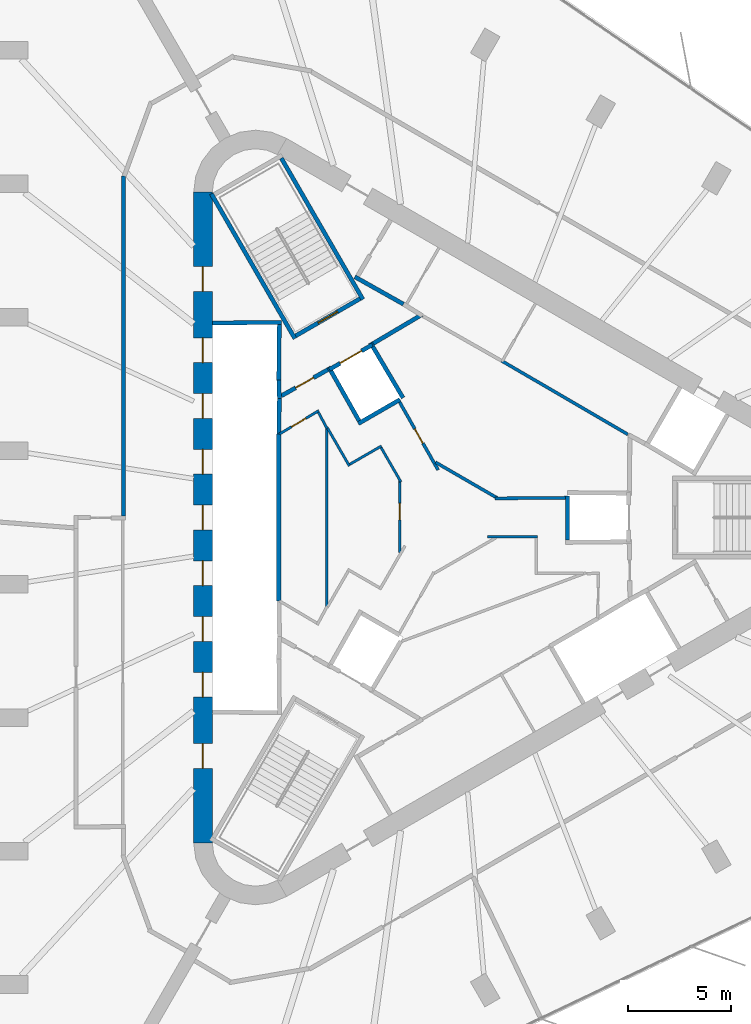
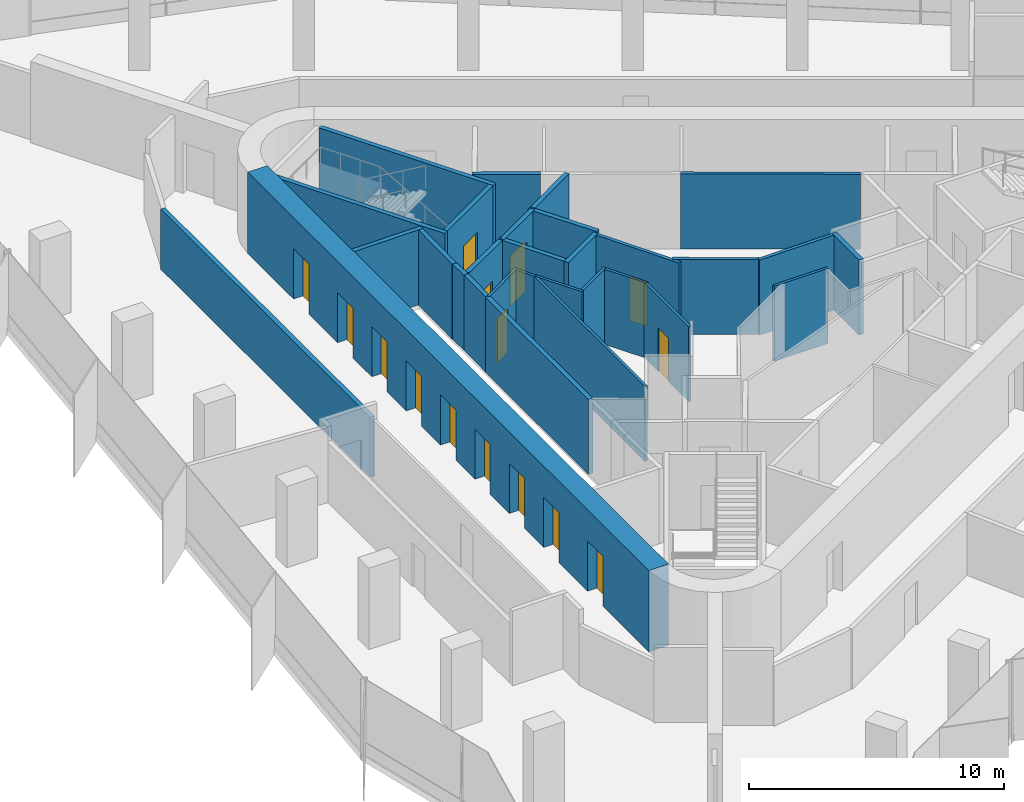
# One storey, part 10 of 14: 30 walls, 15 doors, 15 openings.
"""IFC4 building model written with IfcOpenShell, lengths in metres."""

from ifc_helpers import new_model, si_unit, direction, frame, frame_2d, origin, place, context, subcontext, project, spatial, rectangle, extrude, material, layer, layer_set, type_object, element, fill, save


model = new_model("IFC4")

# Units and contexts
model_context = context("Model", 3, precision=1e-05, world=origin(), true_north=direction((0.0, 1.0)))
body_context = subcontext(model_context, "Body", "Model", "MODEL_VIEW")
ifc_project = project(units=[si_unit("LENGTHUNIT", "METRE"), si_unit("AREAUNIT", "SQUARE_METRE"), si_unit("VOLUMEUNIT", "CUBIC_METRE"), si_unit("PLANEANGLEUNIT", "RADIAN"), si_unit("MASSUNIT", "GRAM", prefix="KILO")], contexts=[model_context])

# Site, building, storey
site_placement = place(None, origin())
site = spatial("IfcSite", under=ifc_project, at=site_placement, CompositionType="ELEMENT")
building_placement = place(site_placement, origin())
building = spatial("IfcBuilding", under=site, at=building_placement, Name="Tanit Gate Tower", CompositionType="ELEMENT")
storey_placement = place(building_placement, frame((0.0, 0.0, 302.60009765625)))
storey = spatial("IfcBuildingStorey", under=building, at=storey_placement, Name="L67", CompositionType="ELEMENT", Elevation=302.60009765625)

# Wall, openings, doors
ifc_material_1 = material(Name="Concrete C40/50", Category="concrete")
ifc_layer_1 = layer(ifc_material_1, 0.89990234375)
ifc_layer_set_1 = layer_set([ifc_layer_1], Name="CORE WALL 900 C40/50")
wall_type_1 = type_object("IfcWallType", Name="CORE WALL 900 C40/50", PredefinedType="SHEAR", material=ifc_layer_set_1)
wall_1_placement = place(storey_placement, frame((-11.64990234375, 15.76171875, 0.0), z_axis=(0.0, 0.0, 1.0), x_axis=(0.0, -1.0, 0.0)))
wall_1 = element("IfcWall", 1, at=wall_1_placement, inside=storey, type_object=wall_type_1, Name="CORE WALL", PredefinedType="SHEAR", context=body_context, shape_type="SweptSolid", body=[
    extrude(rectangle(XDim=31.5234375, YDim=0.89990234375, at=frame_2d((15.76171875, 0.0))), origin(), (0.0, 0.0, 1.0), 3.89990234375),
])
opening_1_placement = place(wall_1_placement, frame((7.061767578125, 0.0, 0.0)))
opening_1 = element("IfcOpeningElement", 2, at=opening_1_placement, cuts=wall_1, Name="Opening LDHL1-S18", PredefinedType="OPENING", context=body_context, shape_type="SweptSolid", body=[
    extrude(rectangle(XDim=1.199951171875, YDim=2.39990234375, at=frame_2d((0.60009765625, 1.199951171875))), frame((0.0, 0.4599609375, 0.0), z_axis=(0.0, -1.0, 0.0), x_axis=(1.0, 0.0, 0.0)), (0.0, 0.0, 1.0), 0.919921875),
])
opening_2_placement = place(wall_1_placement, frame((9.76171875, 0.0, 0.0)))
opening_2 = element("IfcOpeningElement", 3, at=opening_2_placement, cuts=wall_1, Name="Opening LDHL2-S18", PredefinedType="OPENING", context=body_context, shape_type="SweptSolid", body=[
    extrude(rectangle(XDim=1.199951171875, YDim=2.39990234375, at=frame_2d((0.60009765625, 1.199951171875))), frame((0.0, 0.4599609375, 0.0), z_axis=(0.0, -1.0, 0.0), x_axis=(1.0, 0.0, 0.0)), (0.0, 0.0, 1.0), 0.919921875),
])
opening_3_placement = place(wall_1_placement, frame((12.461669921875, 0.0, 0.0)))
opening_3 = element("IfcOpeningElement", 4, at=opening_3_placement, cuts=wall_1, Name="Opening LDHL3-S18", PredefinedType="OPENING", context=body_context, shape_type="SweptSolid", body=[
    extrude(rectangle(XDim=1.199951171875, YDim=2.39990234375, at=frame_2d((0.60009765625, 1.199951171875))), frame((0.0, 0.4599609375, 0.0), z_axis=(0.0, -1.0, 0.0), x_axis=(1.0, 0.0, 0.0)), (0.0, 0.0, 1.0), 0.919921875),
])
opening_4_placement = place(wall_1_placement, frame((15.16162109375, 0.0, 0.0)))
opening_4 = element("IfcOpeningElement", 5, at=opening_4_placement, cuts=wall_1, Name="Opening LDHL4-S18", PredefinedType="OPENING", context=body_context, shape_type="SweptSolid", body=[
    extrude(rectangle(XDim=1.199951171875, YDim=2.39990234375, at=frame_2d((0.60009765625, 1.199951171875))), frame((0.0, 0.4599609375, 0.0), z_axis=(0.0, -1.0, 0.0), x_axis=(1.0, 0.0, 0.0)), (0.0, 0.0, 1.0), 0.919921875),
])
opening_5_placement = place(wall_1_placement, frame((17.86181640625, 0.0, 0.0)))
opening_5 = element("IfcOpeningElement", 6, at=opening_5_placement, cuts=wall_1, Name="Opening LDHL5-S18", PredefinedType="OPENING", context=body_context, shape_type="SweptSolid", body=[
    extrude(rectangle(XDim=1.199951171875, YDim=2.39990234375, at=frame_2d((0.60009765625, 1.199951171875))), frame((0.0, 0.4599609375, 0.0), z_axis=(0.0, -1.0, 0.0), x_axis=(1.0, 0.0, 0.0)), (0.0, 0.0, 1.0), 0.919921875),
])
opening_6_placement = place(wall_1_placement, frame((20.561767578125, 0.0, 0.0)))
opening_6 = element("IfcOpeningElement", 7, at=opening_6_placement, cuts=wall_1, Name="Opening LDHL6-S18", PredefinedType="OPENING", context=body_context, shape_type="SweptSolid", body=[
    extrude(rectangle(XDim=1.199951171875, YDim=2.39990234375, at=frame_2d((0.60009765625, 1.199951171875))), frame((0.0, 0.4599609375, 0.0), z_axis=(0.0, -1.0, 0.0), x_axis=(1.0, 0.0, 0.0)), (0.0, 0.0, 1.0), 0.919921875),
])
opening_7_placement = place(wall_1_placement, frame((23.26171875, 0.0, 0.0)))
opening_7 = element("IfcOpeningElement", 8, at=opening_7_placement, cuts=wall_1, Name="Opening LDHL7-S18", PredefinedType="OPENING", context=body_context, shape_type="SweptSolid", body=[
    extrude(rectangle(XDim=1.199951171875, YDim=2.39990234375, at=frame_2d((0.60009765625, 1.199951171875))), frame((0.0, 0.4599609375, 0.0), z_axis=(0.0, -1.0, 0.0), x_axis=(1.0, 0.0, 0.0)), (0.0, 0.0, 1.0), 0.919921875),
])
opening_8_placement = place(wall_1_placement, frame((3.61181640625, 0.0, 0.0)))
opening_8 = element("IfcOpeningElement", 9, at=opening_8_placement, cuts=wall_1, Name="Opening F12-S18-FL2", PredefinedType="OPENING", context=body_context, shape_type="SweptSolid", body=[
    extrude(rectangle(XDim=1.199951171875, YDim=2.39990234375, at=frame_2d((0.60009765625, 1.199951171875))), frame((0.0, 0.4599609375, 0.0), z_axis=(0.0, -1.0, 0.0), x_axis=(1.0, 0.0, 0.0)), (0.0, 0.0, 1.0), 0.919921875),
])
opening_9_placement = place(wall_1_placement, frame((26.711669921875, 0.0, 0.0)))
opening_9 = element("IfcOpeningElement", 10, at=opening_9_placement, cuts=wall_1, Name="Opening F12-S18-S3", PredefinedType="OPENING", context=body_context, shape_type="SweptSolid", body=[
    extrude(rectangle(XDim=1.199951171875, YDim=2.39990234375, at=frame_2d((0.60009765625, 1.199951171875))), frame((0.0, 0.4599609375, 0.0), z_axis=(0.0, -1.0, 0.0), x_axis=(1.0, 0.0, 0.0)), (0.0, 0.0, 1.0), 0.919921875),
])
ifc_material_2 = material(Name="Fire-rated steel door leaf", Category="steel")
door_type_1 = type_object("IfcDoorType", Name="INT-DOOR-FIRE-LOBBY-1200", OperationType="NOTDEFINED", PredefinedType="USERDEFINED", material=ifc_material_2)
door_1_placement = place(opening_8_placement, origin())
door_1 = element("IfcDoor", 11, at=door_1_placement, inside=storey, type_object=door_type_1, Name="Door F12-S18-FL2", ObjectType="FIRE DOOR", OperationType="SINGLE_SWING_RIGHT", OverallHeight=2.39990234375, OverallWidth=1.199951171875, PredefinedType="USERDEFINED", context=body_context, shape_type="SweptSolid", body=[
    extrude(rectangle(XDim=1.199951171875, YDim=2.39990234375, at=frame_2d((0.60009765625, 1.199951171875))), frame((0.0, 0.02490234375, 0.0), z_axis=(0.0, -1.0, 0.0), x_axis=(1.0, 0.0, 0.0)), (0.0, 0.0, 1.0), 0.050048828125),
])
fill(opening_8, door_1)
door_2_placement = place(opening_9_placement, origin())
door_2 = element("IfcDoor", 12, at=door_2_placement, inside=storey, type_object=door_type_1, Name="Door F12-S18-S3", ObjectType="FIRE DOOR", OperationType="SINGLE_SWING_RIGHT", OverallHeight=2.39990234375, OverallWidth=1.199951171875, PredefinedType="USERDEFINED", context=body_context, shape_type="SweptSolid", body=[
    extrude(rectangle(XDim=1.199951171875, YDim=2.39990234375, at=frame_2d((0.60009765625, 1.199951171875))), frame((0.0, 0.02490234375, 0.0), z_axis=(0.0, -1.0, 0.0), x_axis=(1.0, 0.0, 0.0)), (0.0, 0.0, 1.0), 0.050048828125),
])
fill(opening_9, door_2)
ifc_material_3 = material(Name="Stainless steel sliding door leaf", Category="steel")
door_type_2 = type_object("IfcDoorType", Name="INT-DOOR-LANDING-1200", OperationType="NOTDEFINED", PredefinedType="USERDEFINED", material=ifc_material_3)
door_3_placement = place(opening_1_placement, origin())
door_3 = element("IfcDoor", 13, at=door_3_placement, inside=storey, type_object=door_type_2, Name="Door LDHL1-S18", ObjectType="LANDING DOOR", OperationType="SLIDING_TO_LEFT", OverallHeight=2.39990234375, OverallWidth=1.199951171875, PredefinedType="USERDEFINED", context=body_context, shape_type="SweptSolid", body=[
    extrude(rectangle(XDim=1.199951171875, YDim=2.39990234375, at=frame_2d((0.60009765625, 1.199951171875))), frame((0.0, 0.02490234375, 0.0), z_axis=(0.0, -1.0, 0.0), x_axis=(1.0, 0.0, 0.0)), (0.0, 0.0, 1.0), 0.050048828125),
])
fill(opening_1, door_3)
door_4_placement = place(opening_2_placement, origin())
door_4 = element("IfcDoor", 14, at=door_4_placement, inside=storey, type_object=door_type_2, Name="Door LDHL2-S18", ObjectType="LANDING DOOR", OperationType="SLIDING_TO_LEFT", OverallHeight=2.39990234375, OverallWidth=1.199951171875, PredefinedType="USERDEFINED", context=body_context, shape_type="SweptSolid", body=[
    extrude(rectangle(XDim=1.199951171875, YDim=2.39990234375, at=frame_2d((0.60009765625, 1.199951171875))), frame((0.0, 0.02490234375, 0.0), z_axis=(0.0, -1.0, 0.0), x_axis=(1.0, 0.0, 0.0)), (0.0, 0.0, 1.0), 0.050048828125),
])
fill(opening_2, door_4)
door_5_placement = place(opening_3_placement, origin())
door_5 = element("IfcDoor", 15, at=door_5_placement, inside=storey, type_object=door_type_2, Name="Door LDHL3-S18", ObjectType="LANDING DOOR", OperationType="SLIDING_TO_LEFT", OverallHeight=2.39990234375, OverallWidth=1.199951171875, PredefinedType="USERDEFINED", context=body_context, shape_type="SweptSolid", body=[
    extrude(rectangle(XDim=1.199951171875, YDim=2.39990234375, at=frame_2d((0.60009765625, 1.199951171875))), frame((0.0, 0.02490234375, 0.0), z_axis=(0.0, -1.0, 0.0), x_axis=(1.0, 0.0, 0.0)), (0.0, 0.0, 1.0), 0.050048828125),
])
fill(opening_3, door_5)
door_6_placement = place(opening_4_placement, origin())
door_6 = element("IfcDoor", 16, at=door_6_placement, inside=storey, type_object=door_type_2, Name="Door LDHL4-S18", ObjectType="LANDING DOOR", OperationType="SLIDING_TO_LEFT", OverallHeight=2.39990234375, OverallWidth=1.199951171875, PredefinedType="USERDEFINED", context=body_context, shape_type="SweptSolid", body=[
    extrude(rectangle(XDim=1.199951171875, YDim=2.39990234375, at=frame_2d((0.60009765625, 1.199951171875))), frame((0.0, 0.02490234375, 0.0), z_axis=(0.0, -1.0, 0.0), x_axis=(1.0, 0.0, 0.0)), (0.0, 0.0, 1.0), 0.050048828125),
])
fill(opening_4, door_6)
door_7_placement = place(opening_5_placement, origin())
door_7 = element("IfcDoor", 17, at=door_7_placement, inside=storey, type_object=door_type_2, Name="Door LDHL5-S18", ObjectType="LANDING DOOR", OperationType="SLIDING_TO_LEFT", OverallHeight=2.39990234375, OverallWidth=1.199951171875, PredefinedType="USERDEFINED", context=body_context, shape_type="SweptSolid", body=[
    extrude(rectangle(XDim=1.199951171875, YDim=2.39990234375, at=frame_2d((0.60009765625, 1.199951171875))), frame((0.0, 0.02490234375, 0.0), z_axis=(0.0, -1.0, 0.0), x_axis=(1.0, 0.0, 0.0)), (0.0, 0.0, 1.0), 0.050048828125),
])
fill(opening_5, door_7)
door_8_placement = place(opening_6_placement, origin())
door_8 = element("IfcDoor", 18, at=door_8_placement, inside=storey, type_object=door_type_2, Name="Door LDHL6-S18", ObjectType="LANDING DOOR", OperationType="SLIDING_TO_LEFT", OverallHeight=2.39990234375, OverallWidth=1.199951171875, PredefinedType="USERDEFINED", context=body_context, shape_type="SweptSolid", body=[
    extrude(rectangle(XDim=1.199951171875, YDim=2.39990234375, at=frame_2d((0.60009765625, 1.199951171875))), frame((0.0, 0.02490234375, 0.0), z_axis=(0.0, -1.0, 0.0), x_axis=(1.0, 0.0, 0.0)), (0.0, 0.0, 1.0), 0.050048828125),
])
fill(opening_6, door_8)
door_9_placement = place(opening_7_placement, origin())
door_9 = element("IfcDoor", 19, at=door_9_placement, inside=storey, type_object=door_type_2, Name="Door LDHL7-S18", ObjectType="LANDING DOOR", OperationType="SLIDING_TO_LEFT", OverallHeight=2.39990234375, OverallWidth=1.199951171875, PredefinedType="USERDEFINED", context=body_context, shape_type="SweptSolid", body=[
    extrude(rectangle(XDim=1.199951171875, YDim=2.39990234375, at=frame_2d((0.60009765625, 1.199951171875))), frame((0.0, 0.02490234375, 0.0), z_axis=(0.0, -1.0, 0.0), x_axis=(1.0, 0.0, 0.0)), (0.0, 0.0, 1.0), 0.050048828125),
])
fill(opening_7, door_9)

# Walls
ifc_material_4 = material(Name="Fire-rated gypsum board partition")
ifc_layer_2 = layer(ifc_material_4, 0.199951171875)
ifc_layer_set_2 = layer_set([ifc_layer_2], Name="INT-WALL-COMPARTMENT")
wall_type_2 = type_object("IfcWallType", Name="INT-WALL-COMPARTMENT", PredefinedType="PARTITIONING", material=ifc_layer_set_2)
wall_2_placement = place(storey_placement, frame((-4.296142578125, 11.658935546875, 0.0), z_axis=(0.0, 0.0, 1.0), x_axis=(0.871534483978, -0.490334215854, 0.0)))
element("IfcWall", 20, at=wall_2_placement, inside=storey, type_object=wall_type_2, Name="Wall Compartment W050", PredefinedType="PARTITIONING", context=body_context, shape_type="SweptSolid", body=[
    extrude(rectangle(XDim=2.7001953125, YDim=0.199951171875, at=frame_2d((1.35009765625, 0.0))), origin(), (0.0, 0.0, 1.0), 3.599853515625),
])
wall_3_placement = place(storey_placement, frame((-1.054931640625, 9.818359375, 0.0), z_axis=(0.0, 0.0, 1.0), x_axis=(-0.860591104342, -0.509296525737, 0.0)))
element("IfcWall", 21, at=wall_3_placement, inside=storey, type_object=wall_type_2, Name="Wall Compartment W061", PredefinedType="PARTITIONING", context=body_context, shape_type="SweptSolid", body=[
    extrude(rectangle(XDim=2.7255859375, YDim=0.199951171875, at=frame_2d((1.36279296875, 0.0))), origin(), (0.0, 0.0, 1.0), 3.599853515625),
])

# Wall, opening, door
wall_4_placement = place(storey_placement, frame((-5.600341796875, 7.16015625, 0.0), z_axis=(0.0, 0.0, 1.0), x_axis=(-0.871363259478, -0.490638431059, 0.0)))
wall_4 = element("IfcWall", 22, at=wall_4_placement, inside=storey, type_object=wall_type_2, Name="Wall Compartment W062", PredefinedType="PARTITIONING", context=body_context, shape_type="SweptSolid", body=[
    extrude(rectangle(XDim=2.5810546875, YDim=0.199951171875, at=frame_2d((1.29052734375, 0.0))), origin(), (0.0, 0.0, 1.0), 3.599853515625),
])
opening_10_placement = place(wall_4_placement, frame((0.79052734375, 0.0, 0.0)))
opening_10 = element("IfcOpeningElement", 23, at=opening_10_placement, cuts=wall_4, Name="Opening F10-S18-05", PredefinedType="OPENING", context=body_context, shape_type="SweptSolid", body=[
    extrude(rectangle(XDim=1.0, YDim=2.10009765625, at=frame_2d((0.5, 1.050048828125))), frame((0.0, 0.10986328125, 0.0), z_axis=(0.0, -1.0, 0.0), x_axis=(1.0, 0.0, 0.0)), (0.0, 0.0, 1.0), 0.219970703125),
])
ifc_material_5 = material(Name="Fire-rated steel door leaf", Category="steel")
door_type_3 = type_object("IfcDoorType", Name="INT-DOOR-FIRE-1000", OperationType="NOTDEFINED", PredefinedType="USERDEFINED", material=ifc_material_5)
door_10_placement = place(opening_10_placement, origin())
door_10 = element("IfcDoor", 24, at=door_10_placement, inside=storey, type_object=door_type_3, Name="Door F10-S18-05", ObjectType="FIRE DOOR", OperationType="SINGLE_SWING_RIGHT", OverallHeight=2.10009765625, OverallWidth=1.0, PredefinedType="USERDEFINED", context=body_context, shape_type="SweptSolid", body=[
    extrude(rectangle(XDim=1.0, YDim=2.10009765625, at=frame_2d((0.5, 1.050048828125))), frame((0.0, 0.02490234375, 0.0), z_axis=(0.0, -1.0, 0.0), x_axis=(1.0, 0.0, 0.0)), (0.0, 0.0, 1.0), 0.050048828125),
])
fill(opening_10, door_10)

# Walls
wall_5_placement = place(storey_placement, frame((-15.5, 16.54052734375, 0.0), z_axis=(0.0, 0.0, 1.0), x_axis=(0.0, -1.0, 0.0)))
element("IfcWall", 25, at=wall_5_placement, inside=storey, type_object=wall_type_2, Name="Wall Compartment W096", PredefinedType="PARTITIONING", context=body_context, shape_type="SweptSolid", body=[
    extrude(rectangle(XDim=16.470458984375, YDim=0.199951171875, at=frame_2d((8.2353515625, 0.0))), origin(), (0.0, 0.0, 1.0), 2.8798828125),
])
ifc_material_6 = material(Name="Gypsum board partition")
ifc_layer_3 = layer(ifc_material_6, 0.1201171875)
ifc_layer_set_3 = layer_set([ifc_layer_3], Name="INT-WALL-PARTITION")
wall_type_3 = type_object("IfcWallType", Name="INT-WALL-PARTITION", PredefinedType="PARTITIONING", material=ifc_layer_set_3)
wall_6_placement = place(storey_placement, frame((4.56005859375, -0.925048828125, 0.0), z_axis=(0.0, 0.0, 1.0), x_axis=(-1.0, 0.0, 0.0)))
element("IfcWall", 26, at=wall_6_placement, inside=storey, type_object=wall_type_3, Name="Wall Partition W071", PredefinedType="PARTITIONING", context=body_context, shape_type="SweptSolid", body=[
    extrude(rectangle(XDim=2.438232421875, YDim=0.1201171875, at=frame_2d((1.21923828125, 0.0))), origin(), (0.0, 0.0, 1.0), 3.599853515625),
])
wall_7_placement = place(storey_placement, frame((-5.65087890625, -4.3876953125, 0.0), z_axis=(0.0, 0.0, 1.0), x_axis=(-0.000472563465, 0.999999888342, 0.0)))
element("IfcWall", 27, at=wall_7_placement, inside=storey, type_object=wall_type_3, Name="Wall Partition W076", PredefinedType="PARTITIONING", context=body_context, shape_type="SweptSolid", body=[
    extrude(rectangle(XDim=8.78271484375, YDim=0.1201171875, at=frame_2d((4.391357421875, 0.0))), origin(), (0.0, 0.0, 1.0), 3.599853515625),
])

# Wall, opening, door
wall_8_placement = place(storey_placement, frame((-6.03662109375, 5.17578125, 0.0), z_axis=(0.0, 0.0, 1.0), x_axis=(-0.860106072674, -0.510115225953, 0.0)))
wall_8 = element("IfcWall", 28, at=wall_8_placement, inside=storey, type_object=wall_type_3, Name="Wall Partition W079", PredefinedType="PARTITIONING", context=body_context, shape_type="SweptSolid", body=[
    extrude(rectangle(XDim=2.224609375, YDim=0.1201171875, at=frame_2d((1.1123046875, 0.0))), origin(), (0.0, 0.0, 1.0), 3.599853515625),
])
opening_11_placement = place(wall_8_placement, frame((0.7421875, 0.0, 0.0)))
opening_11 = element("IfcOpeningElement", 29, at=opening_11_placement, cuts=wall_8, Name="Opening R08-S18-13", PredefinedType="OPENING", context=body_context, shape_type="SweptSolid", body=[
    extrude(rectangle(XDim=0.800048828125, YDim=2.10009765625, at=frame_2d((0.39990234375, 1.050048828125))), frame((0.0, 0.070068359375, 0.0), z_axis=(0.0, -1.0, 0.0), x_axis=(1.0, 0.0, 0.0)), (0.0, 0.0, 1.0), 0.14013671875),
])
ifc_material_7 = material(Name="Timber door leaf", Category="wood")
door_type_4 = type_object("IfcDoorType", Name="INT-DOOR-RISER-800", OperationType="NOTDEFINED", PredefinedType="USERDEFINED", material=ifc_material_7)
door_11_placement = place(opening_11_placement, origin())
door_11 = element("IfcDoor", 30, at=door_11_placement, inside=storey, type_object=door_type_4, Name="Door R08-S18-13", ObjectType="FIRE DOOR", OperationType="SINGLE_SWING_LEFT", OverallHeight=2.10009765625, OverallWidth=0.800048828125, PredefinedType="USERDEFINED", context=body_context, shape_type="SweptSolid", body=[
    extrude(rectangle(XDim=0.800048828125, YDim=2.10009765625, at=frame_2d((0.39990234375, 1.050048828125))), frame((0.0, 0.02490234375, 0.0), z_axis=(0.0, -1.0, 0.0), x_axis=(1.0, 0.0, 0.0)), (0.0, 0.0, 1.0), 0.050048828125),
])
fill(opening_11, door_11)

# Walls
wall_9_placement = place(storey_placement, frame((-5.64013671875, 4.31005859375, 0.0), z_axis=(0.0, 0.0, 1.0), x_axis=(-0.472770828932, 0.88118541937, 0.0)))
element("IfcWall", 31, at=wall_9_placement, inside=storey, type_object=wall_type_3, Name="Wall Partition W080", PredefinedType="PARTITIONING", context=body_context, shape_type="SweptSolid", body=[
    extrude(rectangle(XDim=0.8876953125, YDim=0.1201171875, at=frame_2d((0.44384765625, 0.0))), origin(), (0.0, 0.0, 1.0), 3.599853515625),
])
wall_10_placement = place(storey_placement, frame((-4.558349609375, 2.4951171875, 0.0), z_axis=(0.0, 0.0, 1.0), x_axis=(-0.499986178718, 0.866033383358, 0.0)))
element("IfcWall", 32, at=wall_10_placement, inside=storey, type_object=wall_type_3, Name="Wall Partition W081", PredefinedType="PARTITIONING", context=body_context, shape_type="SweptSolid", body=[
    extrude(rectangle(XDim=2.16357421875, YDim=0.1201171875, at=frame_2d((1.081787109375, 0.0))), origin(), (0.0, 0.0, 1.0), 3.599853515625),
])
wall_11_placement = place(storey_placement, frame((-2.9990234375, 3.464599609375, 0.0), z_axis=(0.0, 0.0, 1.0), x_axis=(-0.866059624469, -0.499940723351, 0.0)))
element("IfcWall", 33, at=wall_11_placement, inside=storey, type_object=wall_type_3, Name="Wall Partition W082", PredefinedType="PARTITIONING", context=body_context, shape_type="SweptSolid", body=[
    extrude(rectangle(XDim=1.775146484375, YDim=0.1201171875, at=frame_2d((0.8876953125, 0.0))), origin(), (0.0, 0.0, 1.0), 3.599853515625),
])
wall_12_placement = place(storey_placement, frame((-2.066162109375, 1.728759765625, 0.0), z_axis=(0.0, 0.0, 1.0), x_axis=(-0.500002807145, 0.866023783073, 0.0)))
element("IfcWall", 34, at=wall_12_placement, inside=storey, type_object=wall_type_3, Name="Wall Partition W083", PredefinedType="PARTITIONING", context=body_context, shape_type="SweptSolid", body=[
    extrude(rectangle(XDim=1.90966796875, YDim=0.1201171875, at=frame_2d((0.954833984375, 0.0))), origin(), (0.0, 0.0, 1.0), 3.599853515625),
])

# Wall, opening, door
wall_13_placement = place(storey_placement, frame((-2.122314453125, -1.7060546875, 0.0), z_axis=(0.0, 0.0, 1.0), x_axis=(0.001253480909, 0.999999214392, 0.0)))
wall_13 = element("IfcWall", 35, at=wall_13_placement, inside=storey, type_object=wall_type_3, Name="Wall Partition W084", PredefinedType="PARTITIONING", context=body_context, shape_type="SweptSolid", body=[
    extrude(rectangle(XDim=3.505859375, YDim=0.1201171875, at=frame_2d((1.7529296875, 0.0))), origin(), (0.0, 0.0, 1.0), 3.599853515625),
])
opening_12_placement = place(wall_13_placement, frame((1.593505859375, 0.0, 0.0)))
opening_12 = element("IfcOpeningElement", 36, at=opening_12_placement, cuts=wall_13, Name="Opening R08-S18-14", PredefinedType="OPENING", context=body_context, shape_type="SweptSolid", body=[
    extrude(rectangle(XDim=0.800048828125, YDim=2.10009765625, at=frame_2d((0.39990234375, 1.050048828125))), frame((0.0, 0.070068359375, 0.0), z_axis=(0.0, -1.0, 0.0), x_axis=(1.0, 0.0, 0.0)), (0.0, 0.0, 1.0), 0.14013671875),
])
door_12_placement = place(opening_12_placement, origin())
door_12 = element("IfcDoor", 37, at=door_12_placement, inside=storey, type_object=door_type_4, Name="Door R08-S18-14", ObjectType="FIRE DOOR", OperationType="SINGLE_SWING_LEFT", OverallHeight=2.10009765625, OverallWidth=0.800048828125, PredefinedType="USERDEFINED", context=body_context, shape_type="SweptSolid", body=[
    extrude(rectangle(XDim=0.800048828125, YDim=2.10009765625, at=frame_2d((0.39990234375, 1.050048828125))), frame((0.0, 0.02490234375, 0.0), z_axis=(0.0, -1.0, 0.0), x_axis=(1.0, 0.0, 0.0)), (0.0, 0.0, 1.0), 0.050048828125),
])
fill(opening_12, door_12)

# Walls
ifc_material_8 = material(Name="Fire-rated gypsum board partition")
ifc_layer_4 = layer(ifc_material_8, 0.14990234375)
ifc_layer_set_4 = layer_set([ifc_layer_4], Name="INT-WALL-RISER")
wall_type_4 = type_object("IfcWallType", Name="INT-WALL-RISER", PredefinedType="PLUMBINGWALL", material=ifc_layer_set_4)
wall_14_placement = place(storey_placement, frame((8.9306640625, 4.0244140625, 0.0), z_axis=(0.0, 0.0, 1.0), x_axis=(-0.863936620311, 0.50360055211, 0.0)))
element("IfcWall", 38, at=wall_14_placement, inside=storey, type_object=wall_type_4, Name="Wall Riser W046", PredefinedType="PLUMBINGWALL", context=body_context, shape_type="SweptSolid", body=[
    extrude(rectangle(XDim=7.072021484375, YDim=0.14990234375, at=frame_2d((3.5361328125, 0.0))), origin(), (0.0, 0.0, 1.0), 3.599853515625),
])
wall_15_placement = place(storey_placement, frame((2.5068359375, 0.923828125, 0.0), z_axis=(0.0, 0.0, 1.0), x_axis=(0.999961473465, 0.008777903278, 0.0)))
element("IfcWall", 39, at=wall_15_placement, inside=storey, type_object=wall_type_4, Name="Wall Riser W065", PredefinedType="PLUMBINGWALL", context=body_context, shape_type="SweptSolid", body=[
    extrude(rectangle(XDim=3.393310546875, YDim=0.14990234375, at=frame_2d((1.69677734375, 0.0))), origin(), (0.0, 0.0, 1.0), 3.599853515625),
])
wall_16_placement = place(storey_placement, frame((-0.38525390625, 2.673095703125, 0.0), z_axis=(0.0, 0.0, 1.0), x_axis=(0.865415028875, -0.501055713266, 0.0)))
element("IfcWall", 40, at=wall_16_placement, inside=storey, type_object=wall_type_4, Name="Wall Riser W066", PredefinedType="PLUMBINGWALL", context=body_context, shape_type="SweptSolid", body=[
    extrude(rectangle(XDim=3.46484375, YDim=0.14990234375, at=frame_2d((1.732421875, 0.0))), origin(), (0.0, 0.0, 1.0), 3.599853515625),
])

# Wall, opening, door
wall_17_placement = place(storey_placement, frame((-2.1240234375, 5.58642578125, 0.0), z_axis=(0.0, 0.0, 1.0), x_axis=(0.493408695398, -0.869797596746, 0.0)))
wall_17 = element("IfcWall", 41, at=wall_17_placement, inside=storey, type_object=wall_type_4, Name="Wall Riser W067", PredefinedType="PLUMBINGWALL", context=body_context, shape_type="SweptSolid", body=[
    extrude(rectangle(XDim=3.7783203125, YDim=0.14990234375, at=frame_2d((1.88916015625, 0.0))), origin(), (0.0, 0.0, 1.0), 3.599853515625),
])
opening_13_placement = place(wall_17_placement, frame((1.4892578125, 0.0, 0.0)))
opening_13 = element("IfcOpeningElement", 42, at=opening_13_placement, cuts=wall_17, Name="Opening R08-S18-10", PredefinedType="OPENING", context=body_context, shape_type="SweptSolid", body=[
    extrude(rectangle(XDim=0.800048828125, YDim=2.10009765625, at=frame_2d((0.39990234375, 1.050048828125))), frame((0.0, 0.0849609375, 0.0), z_axis=(0.0, -1.0, 0.0), x_axis=(1.0, 0.0, 0.0)), (0.0, 0.0, 1.0), 0.169921875),
])
door_13_placement = place(opening_13_placement, origin())
door_13 = element("IfcDoor", 43, at=door_13_placement, inside=storey, type_object=door_type_4, Name="Door R08-S18-10", ObjectType="FIRE DOOR", OperationType="SINGLE_SWING_LEFT", OverallHeight=2.10009765625, OverallWidth=0.800048828125, PredefinedType="USERDEFINED", context=body_context, shape_type="SweptSolid", body=[
    extrude(rectangle(XDim=0.800048828125, YDim=2.10009765625, at=frame_2d((0.39990234375, 1.050048828125))), frame((0.0, 0.02490234375, 0.0), z_axis=(0.0, -1.0, 0.0), x_axis=(1.0, 0.0, 0.0)), (0.0, 0.0, 1.0), 0.050048828125),
])
fill(opening_13, door_13)

# Walls
ifc_material_9 = material(Name="Gypsum shaft wall system")
ifc_layer_5 = layer(ifc_material_9, 0.199951171875)
ifc_layer_set_5 = layer_set([ifc_layer_5], Name="INT-WALL-SHAFT")
wall_type_5 = type_object("IfcWallType", Name="INT-WALL-SHAFT", PredefinedType="PLUMBINGWALL", material=ifc_layer_set_5)
wall_18_placement = place(storey_placement, frame((-11.199951171875, 9.419921875, 0.0), z_axis=(0.0, 0.0, 1.0), x_axis=(0.999957167047, 0.009255488683, 0.0)))
element("IfcWall", 44, at=wall_18_placement, inside=storey, type_object=wall_type_5, Name="Wall Shaft W001", PredefinedType="PLUMBINGWALL", context=body_context, shape_type="SweptSolid", body=[
    extrude(rectangle(XDim=3.35009765625, YDim=0.199951171875, at=frame_2d((1.675048828125, 0.0))), origin(), (0.0, 0.0, 1.0), 3.599853515625),
])
wall_19_placement = place(storey_placement, frame((-7.951171875, 9.35009765625, 0.0), z_axis=(0.0, 0.0, 1.0), x_axis=(-0.011120469654, -0.999938165666, 0.0)))
element("IfcWall", 45, at=wall_19_placement, inside=storey, type_object=wall_type_5, Name="Wall Shaft W002", PredefinedType="PLUMBINGWALL", context=body_context, shape_type="SweptSolid", body=[
    extrude(rectangle(XDim=2.700439453125, YDim=0.199951171875, at=frame_2d((1.35009765625, 0.0))), origin(), (0.0, 0.0, 1.0), 3.599853515625),
])
wall_20_placement = place(storey_placement, frame((-7.97705078125, 6.650146484375, 0.0), z_axis=(0.0, 0.0, 1.0), x_axis=(0.030861509705, -0.999523670164, 0.0)))
element("IfcWall", 46, at=wall_20_placement, inside=storey, type_object=wall_type_5, Name="Wall Shaft W003", PredefinedType="PLUMBINGWALL", context=body_context, shape_type="SweptSolid", body=[
    extrude(rectangle(XDim=0.878173828125, YDim=0.199951171875, at=frame_2d((0.43896484375, 0.0))), origin(), (0.0, 0.0, 1.0), 3.599853515625),
])
wall_21_placement = place(storey_placement, frame((-7.94921875, 5.894775390625, 0.0), z_axis=(0.0, 0.0, 1.0), x_axis=(-0.012042535896, -0.999927486035, 0.0)))
element("IfcWall", 47, at=wall_21_placement, inside=storey, type_object=wall_type_5, Name="Wall Shaft W004", PredefinedType="PLUMBINGWALL", context=body_context, shape_type="SweptSolid", body=[
    extrude(rectangle(XDim=1.844970703125, YDim=0.199951171875, at=frame_2d((0.92236328125, 0.0))), origin(), (0.0, 0.0, 1.0), 3.599853515625),
])
wall_22_placement = place(storey_placement, frame((-7.97998046875, 4.050048828125, 0.0), z_axis=(0.0, 0.0, 1.0), x_axis=(0.0, -1.0, 0.0)))
element("IfcWall", 48, at=wall_22_placement, inside=storey, type_object=wall_type_5, Name="Wall Shaft W005", PredefinedType="PLUMBINGWALL", context=body_context, shape_type="SweptSolid", body=[
    extrude(rectangle(XDim=8.10009765625, YDim=0.199951171875, at=frame_2d((4.050048828125, 0.0))), origin(), (0.0, 0.0, 1.0), 3.599853515625),
])
wall_23_placement = place(storey_placement, frame((6.0, -1.10009765625, 0.0), z_axis=(0.0, 0.0, 1.0), x_axis=(0.0, 1.0, 0.0)))
element("IfcWall", 49, at=wall_23_placement, inside=storey, type_object=wall_type_5, Name="Wall Shaft W027", PredefinedType="PLUMBINGWALL", context=body_context, shape_type="SweptSolid", body=[
    extrude(rectangle(XDim=2.129638671875, YDim=0.199951171875, at=frame_2d((1.06494140625, 0.0))), origin(), (0.0, 0.0, 1.0), 3.599853515625),
])

# Wall, opening, door
wall_24_placement = place(storey_placement, frame((-5.524169921875, 7.168212890625, 0.0), z_axis=(0.0, 0.0, 1.0), x_axis=(0.866024647952, 0.500001309137, 0.0)))
wall_24 = element("IfcWall", 50, at=wall_24_placement, inside=storey, type_object=wall_type_5, Name="Wall Shaft W032", PredefinedType="PLUMBINGWALL", context=body_context, shape_type="SweptSolid", body=[
    extrude(rectangle(XDim=2.39990234375, YDim=0.199951171875, at=frame_2d((1.199951171875, 0.0))), origin(), (0.0, 0.0, 1.0), 3.599853515625),
])
opening_14_placement = place(wall_24_placement, frame((0.60009765625, 0.0, 0.0)))
opening_14 = element("IfcOpeningElement", 51, at=opening_14_placement, cuts=wall_24, Name="Opening LDFL2-L67", PredefinedType="OPENING", context=body_context, shape_type="SweptSolid", body=[
    extrude(rectangle(XDim=1.199951171875, YDim=2.39990234375, at=frame_2d((0.60009765625, 1.199951171875))), frame((0.0, 0.10986328125, 0.0), z_axis=(0.0, -1.0, 0.0), x_axis=(1.0, 0.0, 0.0)), (0.0, 0.0, 1.0), 0.219970703125),
])
door_14_placement = place(opening_14_placement, origin())
door_14 = element("IfcDoor", 52, at=door_14_placement, inside=storey, type_object=door_type_2, Name="Door LDFL2-L67", ObjectType="LANDING DOOR", OperationType="SLIDING_TO_LEFT", OverallHeight=2.39990234375, OverallWidth=1.199951171875, PredefinedType="USERDEFINED", context=body_context, shape_type="SweptSolid", body=[
    extrude(rectangle(XDim=1.199951171875, YDim=2.39990234375, at=frame_2d((0.60009765625, 1.199951171875))), frame((0.0, 0.02490234375, 0.0), z_axis=(0.0, -1.0, 0.0), x_axis=(1.0, 0.0, 0.0)), (0.0, 0.0, 1.0), 0.050048828125),
])
fill(opening_14, door_14)

# Walls
wall_25_placement = place(storey_placement, frame((-3.53759765625, 8.46533203125, 0.0), z_axis=(0.0, 0.0, 1.0), x_axis=(0.508647062354, -0.860975125052, 0.0)))
element("IfcWall", 53, at=wall_25_placement, inside=storey, type_object=wall_type_5, Name="Wall Shaft W033", PredefinedType="PLUMBINGWALL", context=body_context, shape_type="SweptSolid", body=[
    extrude(rectangle(XDim=3.10009765625, YDim=0.199951171875, at=frame_2d((1.550048828125, 0.0))), origin(), (0.0, 0.0, 1.0), 3.599853515625),
])
wall_26_placement = place(storey_placement, frame((-2.1083984375, 5.7109375, 0.0), z_axis=(0.0, 0.0, 1.0), x_axis=(-0.866009305107, -0.50002788269, 0.0)))
element("IfcWall", 54, at=wall_26_placement, inside=storey, type_object=wall_type_5, Name="Wall Shaft W034", PredefinedType="PLUMBINGWALL", context=body_context, shape_type="SweptSolid", body=[
    extrude(rectangle(XDim=2.329345703125, YDim=0.199951171875, at=frame_2d((1.16455078125, 0.0))), origin(), (0.0, 0.0, 1.0), 3.599853515625),
])
wall_27_placement = place(storey_placement, frame((-5.5625, 7.29638671875, 0.0), z_axis=(0.0, 0.0, 1.0), x_axis=(0.49134651263, -0.870964180966, 0.0)))
element("IfcWall", 55, at=wall_27_placement, inside=storey, type_object=wall_type_5, Name="Wall Shaft W035", PredefinedType="PLUMBINGWALL", context=body_context, shape_type="SweptSolid", body=[
    extrude(rectangle(XDim=3.000244140625, YDim=0.199951171875, at=frame_2d((1.5, 0.0))), origin(), (0.0, 0.0, 1.0), 3.599853515625),
])
ifc_material_10 = material(Name="Concrete C40/50", Category="concrete")
ifc_layer_6 = layer(ifc_material_10, 0.199951171875)
ifc_layer_set_6 = layer_set([ifc_layer_6], Name="INT-WALL-STAIR")
wall_type_6 = type_object("IfcWallType", Name="INT-WALL-STAIR", PredefinedType="SHEAR", material=ifc_layer_set_6)
wall_28_placement = place(storey_placement, frame((-11.245361328125, 15.677734375, -0.300048828125), z_axis=(0.0, 0.0, 1.0), x_axis=(0.499977274689, -0.866038523851, 0.0)))
element("IfcWall", 56, at=wall_28_placement, inside=storey, type_object=wall_type_6, Name="Wall Stair W028", PredefinedType="SHEAR", context=body_context, shape_type="SweptSolid", body=[
    extrude(rectangle(XDim=8.10009765625, YDim=0.199951171875, at=frame_2d((4.050048828125, 0.0))), origin(), (0.0, 0.0, 1.0), 3.89990234375),
])
wall_29_placement = place(storey_placement, frame((-7.8544921875, 17.404541015625, -0.300048828125), z_axis=(0.0, 0.0, 1.0), x_axis=(0.499997992926, -0.866026562566, 0.0)))
element("IfcWall", 57, at=wall_29_placement, inside=storey, type_object=wall_type_6, Name="Wall Stair W030", PredefinedType="SHEAR", context=body_context, shape_type="SweptSolid", body=[
    extrude(rectangle(XDim=7.89990234375, YDim=0.199951171875, at=frame_2d((3.949951171875, 0.0))), origin(), (0.0, 0.0, 1.0), 3.89990234375),
])

# Wall, opening, door
wall_30_placement = place(storey_placement, frame((-7.158935546875, 8.799560546875, -0.300048828125), z_axis=(0.0, 0.0, 1.0), x_axis=(0.866047807691, 0.499961193289, 0.0)))
wall_30 = element("IfcWall", 58, at=wall_30_placement, inside=storey, type_object=wall_type_6, Name="Wall Stair W031", PredefinedType="SHEAR", context=body_context, shape_type="SweptSolid", body=[
    extrude(rectangle(XDim=3.599853515625, YDim=0.199951171875, at=frame_2d((1.7998046875, 0.0))), origin(), (0.0, 0.0, 1.0), 3.89990234375),
])
opening_15_placement = place(wall_30_placement, frame((1.25, 0.0, 0.300048828125)))
opening_15 = element("IfcOpeningElement", 59, at=opening_15_placement, cuts=wall_30, Name="Opening S11-S18-04", PredefinedType="OPENING", context=body_context, shape_type="SweptSolid", body=[
    extrude(rectangle(XDim=1.10009765625, YDim=2.10009765625, at=frame_2d((0.550048828125, 1.050048828125))), frame((0.0, 0.10986328125, 0.0), z_axis=(0.0, -1.0, 0.0), x_axis=(1.0, 0.0, 0.0)), (0.0, 0.0, 1.0), 0.219970703125),
])
ifc_material_11 = material(Name="Timber door leaf", Category="wood")
door_type_5 = type_object("IfcDoorType", Name="INT-DOOR-STAIR-1100", OperationType="NOTDEFINED", PredefinedType="USERDEFINED", material=ifc_material_11)
door_15_placement = place(opening_15_placement, origin())
door_15 = element("IfcDoor", 60, at=door_15_placement, inside=storey, type_object=door_type_5, Name="Door S11-S18-04", ObjectType="FIRE DOOR", OperationType="SINGLE_SWING_LEFT", OverallHeight=2.10009765625, OverallWidth=1.10009765625, PredefinedType="USERDEFINED", context=body_context, shape_type="SweptSolid", body=[
    extrude(rectangle(XDim=1.10009765625, YDim=2.10009765625, at=frame_2d((0.550048828125, 1.050048828125))), frame((0.0, 0.02490234375, 0.0), z_axis=(0.0, -1.0, 0.0), x_axis=(1.0, 0.0, 0.0)), (0.0, 0.0, 1.0), 0.050048828125),
])
fill(opening_15, door_15)

save(model, "model.ifc")
